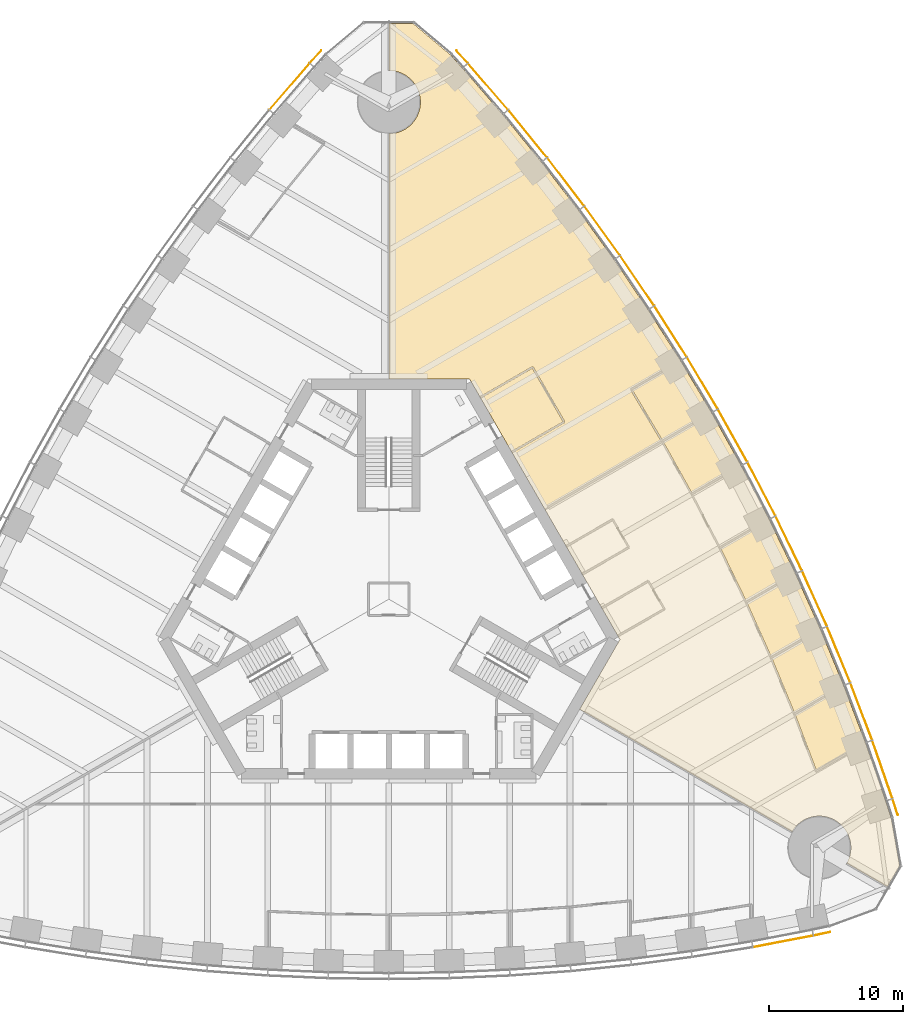
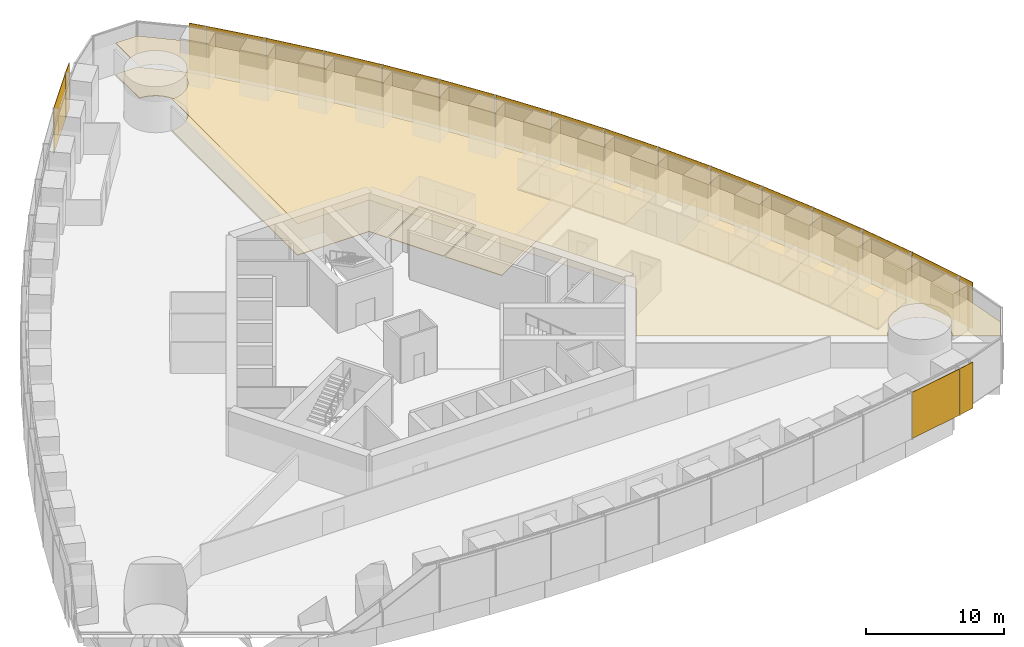
# One storey, part 17 of 19: 20 shading devices, 9 coverings.
"""IFC4 building model written with IfcOpenShell, lengths in metres."""

from ifc_helpers import new_model, si_unit, direction, frame, origin, origin_2d, place, context, subcontext, project, spatial, polyline, rectangle, outline, extrude, material, layer, layer_set, type_object, element, save


model = new_model("IFC4")

# Units and contexts
model_context = context("Model", 3, precision=1e-05, world=origin(), true_north=direction((0.0, 1.0)))
body_context = subcontext(model_context, "Body", "Model", "MODEL_VIEW")
ifc_project = project(units=[si_unit("LENGTHUNIT", "METRE"), si_unit("AREAUNIT", "SQUARE_METRE"), si_unit("VOLUMEUNIT", "CUBIC_METRE"), si_unit("PLANEANGLEUNIT", "RADIAN"), si_unit("MASSUNIT", "GRAM", prefix="KILO")], contexts=[model_context])

# Site, building, storey
site_placement = place(None, origin())
site = spatial("IfcSite", under=ifc_project, at=site_placement, CompositionType="ELEMENT")
building_placement = place(site_placement, origin())
building = spatial("IfcBuilding", under=site, at=building_placement, Name="Trefoil Bronze Tower", CompositionType="ELEMENT")
storey_placement = place(building_placement, frame((0.0, 0.0, 83.699951171875)))
storey = spatial("IfcBuildingStorey", under=building, at=storey_placement, Name="L19", CompositionType="ELEMENT", Elevation=83.699951171875)

# Shading devices
ifc_material_1 = material(Name="Perforated bronze sheet", Category="bronze")
ifc_layer_1 = layer(ifc_material_1, 0.0400390625)
ifc_layer_set_1 = layer_set([ifc_layer_1], Name="Bronze solar screen panel")
shading_device_type = type_object("IfcShadingDeviceType", Name="Bronze solar screen panel", PredefinedType="SHUTTER", material=ifc_layer_set_1)
shading_device_1_placement = place(storey_placement, frame((29.351806640625, -25.478515625, 0.050048828125), z_axis=(0.0, 0.0, 1.0), x_axis=(0.982049823817, 0.188621694249, 0.0)))
element("IfcShadingDevice", 1, at=shading_device_1_placement, inside=storey, type_object=shading_device_type, Name="Solar screen CW-A L19 F1 bay 15", PredefinedType="SHUTTER", context=body_context, shape_type="SweptSolid", body=[
    extrude(rectangle(XDim=4.55224609375, YDim=0.0400390625, at=origin_2d()), origin(), (0.0, 0.0, 1.0), 4.10009765625),
])
for number, where, z_axis, x_axis, name in (
    (2, (32.2431640625, -24.91064453125, 0.050048828125), (0.0, 0.0, 1.0), (0.978302717041, 0.207180582657, 0.0), "Solar screen CW-A L19 F1 bay 16"),
    (3, (37.69482421875, -15.468017578125, 0.050048828125), (0.0, 0.0, 1.0), (-0.309727710769, 0.950825296877, 0.0), "Solar screen CW-A L19 F2 bay 1"),
):
    element("IfcShadingDevice", number, at=place(storey_placement, frame(where, z_axis=z_axis, x_axis=x_axis)), inside=storey, type_object=shading_device_type, Name=name, PredefinedType="SHUTTER", context=body_context, shape_type="SweptSolid", body=[
        extrude(rectangle(XDim=1.260498046875, YDim=0.0400390625, at=origin_2d()), origin(), (0.0, 0.0, 1.0), 4.10009765625),
    ])
shading_device_2_placement = place(storey_placement, frame((36.740966796875, -12.68017578125, 0.050048828125), z_axis=(0.0, 0.0, 1.0), x_axis=(-0.327673732984, 0.944790942332, 0.0)))
element("IfcShadingDevice", 4, at=shading_device_2_placement, inside=storey, type_object=shading_device_type, Name="Solar screen CW-A L19 F2 bay 2", PredefinedType="SHUTTER", context=body_context, shape_type="SweptSolid", body=[
    extrude(rectangle(XDim=4.55224609375, YDim=0.0400390625, at=origin_2d()), origin(), (0.0, 0.0, 1.0), 4.10009765625),
])
shading_device_3_placement = place(storey_placement, frame((35.1748046875, -8.3701171875, 0.050048828125), z_axis=(0.0, 0.0, 1.0), x_axis=(-0.355370585687, 0.934725492767, 0.0)))
element("IfcShadingDevice", 5, at=shading_device_3_placement, inside=storey, type_object=shading_device_type, Name="Solar screen CW-A L19 F2 bay 3", PredefinedType="SHUTTER", context=body_context, shape_type="SweptSolid", body=[
    extrude(rectangle(XDim=4.5283203125, YDim=0.0400390625, at=origin_2d()), origin(), (0.0, 0.0, 1.0), 4.10009765625),
])
shading_device_4_placement = place(storey_placement, frame((33.49072265625, -4.128173828125, 0.050048828125), z_axis=(0.0, 0.0, 1.0), x_axis=(-0.382629580712, 0.923901836758, 0.0)))
element("IfcShadingDevice", 6, at=shading_device_4_placement, inside=storey, type_object=shading_device_type, Name="Solar screen CW-A L19 F2 bay 4", PredefinedType="SHUTTER", context=body_context, shape_type="SweptSolid", body=[
    extrude(rectangle(XDim=4.5087890625, YDim=0.0400390625, at=origin_2d()), origin(), (0.0, 0.0, 1.0), 4.10009765625),
])
shading_device_5_placement = place(storey_placement, frame((31.68994140625, 0.04638671875, 0.050048828125), z_axis=(0.0, 0.0, 1.0), x_axis=(-0.40945635808, 0.912329705111, 0.0)))
element("IfcShadingDevice", 7, at=shading_device_5_placement, inside=storey, type_object=shading_device_type, Name="Solar screen CW-A L19 F2 bay 5", PredefinedType="SHUTTER", context=body_context, shape_type="SweptSolid", body=[
    extrude(rectangle(XDim=4.493408203125, YDim=0.0400390625, at=origin_2d()), origin(), (0.0, 0.0, 1.0), 4.10009765625),
])
shading_device_6_placement = place(storey_placement, frame((29.77392578125, 4.154541015625, 0.050048828125), z_axis=(0.0, 0.0, 1.0), x_axis=(-0.4358553457, 0.900016731858, 0.0)))
element("IfcShadingDevice", 8, at=shading_device_6_placement, inside=storey, type_object=shading_device_type, Name="Solar screen CW-A L19 F2 bay 6", PredefinedType="SHUTTER", context=body_context, shape_type="SweptSolid", body=[
    extrude(rectangle(XDim=4.48193359375, YDim=0.0400390625, at=origin_2d()), origin(), (0.0, 0.0, 1.0), 4.10009765625),
])
shading_device_7_placement = place(storey_placement, frame((27.74365234375, 8.1962890625, 0.050048828125), z_axis=(0.0, 0.0, 1.0), x_axis=(-0.46182981834, 0.886968555752, 0.0)))
element("IfcShadingDevice", 9, at=shading_device_7_placement, inside=storey, type_object=shading_device_type, Name="Solar screen CW-A L19 F2 bay 7", PredefinedType="SHUTTER", context=body_context, shape_type="SweptSolid", body=[
    extrude(rectangle(XDim=4.474365234375, YDim=0.0400390625, at=origin_2d()), origin(), (0.0, 0.0, 1.0), 4.10009765625),
])
for number, where, z_axis, x_axis, name in (
    (10, (25.599365234375, 12.172607421875, 0.050048828125), (0.0, 0.0, 1.0), (-0.487381940453, 0.873188893722, 0.0), "Solar screen CW-A L19 F2 bay 8"),
    (11, (23.341552734375, 16.083251953125, 0.050048828125), (0.0, 0.0, 1.0), (-0.51251279404, 0.858679588639, 0.0), "Solar screen CW-A L19 F2 bay 9"),
):
    element("IfcShadingDevice", number, at=place(storey_placement, frame(where, z_axis=z_axis, x_axis=x_axis)), inside=storey, type_object=shading_device_type, Name=name, PredefinedType="SHUTTER", context=body_context, shape_type="SweptSolid", body=[
        extrude(rectangle(XDim=4.470458984375, YDim=0.0400390625, at=origin_2d()), origin(), (0.0, 0.0, 1.0), 4.10009765625),
    ])
shading_device_8_placement = place(storey_placement, frame((20.97021484375, 19.928466796875, 0.050048828125), z_axis=(0.0, 0.0, 1.0), x_axis=(-0.537222392469, 0.843440632783, 0.0)))
element("IfcShadingDevice", 12, at=shading_device_8_placement, inside=storey, type_object=shading_device_type, Name="Solar screen CW-A L19 F2 bay 10", PredefinedType="SHUTTER", context=body_context, shape_type="SweptSolid", body=[
    extrude(rectangle(XDim=4.474365234375, YDim=0.0400390625, at=origin_2d()), origin(), (0.0, 0.0, 1.0), 4.10009765625),
])
shading_device_9_placement = place(storey_placement, frame((18.48486328125, 23.707763671875, 0.050048828125), z_axis=(0.0, 0.0, 1.0), x_axis=(-0.56150968077, 0.827470167681, 0.0)))
element("IfcShadingDevice", 13, at=shading_device_9_placement, inside=storey, type_object=shading_device_type, Name="Solar screen CW-A L19 F2 bay 11", PredefinedType="SHUTTER", context=body_context, shape_type="SweptSolid", body=[
    extrude(rectangle(XDim=4.48193359375, YDim=0.0400390625, at=origin_2d()), origin(), (0.0, 0.0, 1.0), 4.10009765625),
])
shading_device_10_placement = place(storey_placement, frame((15.88525390625, 27.421142578125, 0.050048828125), z_axis=(0.0, 0.0, 1.0), x_axis=(-0.585372522213, 0.810764460394, 0.0)))
element("IfcShadingDevice", 14, at=shading_device_10_placement, inside=storey, type_object=shading_device_type, Name="Solar screen CW-A L19 F2 bay 12", PredefinedType="SHUTTER", context=body_context, shape_type="SweptSolid", body=[
    extrude(rectangle(XDim=4.493408203125, YDim=0.0400390625, at=origin_2d()), origin(), (0.0, 0.0, 1.0), 4.10009765625),
])
shading_device_11_placement = place(storey_placement, frame((13.170166015625, 31.06787109375, 0.050048828125), z_axis=(0.0, 0.0, 1.0), x_axis=(-0.608807670879, 0.793317855515, 0.0)))
element("IfcShadingDevice", 15, at=shading_device_11_placement, inside=storey, type_object=shading_device_type, Name="Solar screen CW-A L19 F2 bay 13", PredefinedType="SHUTTER", context=body_context, shape_type="SweptSolid", body=[
    extrude(rectangle(XDim=4.5087890625, YDim=0.0400390625, at=origin_2d()), origin(), (0.0, 0.0, 1.0), 4.10009765625),
])
shading_device_12_placement = place(storey_placement, frame((10.338623046875, 34.6474609375, 0.050048828125), z_axis=(0.0, 0.0, 1.0), x_axis=(-0.631810729457, 0.775122701346, 0.0)))
element("IfcShadingDevice", 16, at=shading_device_12_placement, inside=storey, type_object=shading_device_type, Name="Solar screen CW-A L19 F2 bay 14", PredefinedType="SHUTTER", context=body_context, shape_type="SweptSolid", body=[
    extrude(rectangle(XDim=4.5283203125, YDim=0.0400390625, at=origin_2d()), origin(), (0.0, 0.0, 1.0), 4.10009765625),
])
shading_device_13_placement = place(storey_placement, frame((7.38916015625, 38.15869140625, 0.050048828125), z_axis=(0.0, 0.0, 1.0), x_axis=(-0.654376090833, 0.756169248083, 0.0)))
element("IfcShadingDevice", 17, at=shading_device_13_placement, inside=storey, type_object=shading_device_type, Name="Solar screen CW-A L19 F2 bay 15", PredefinedType="SHUTTER", context=body_context, shape_type="SweptSolid", body=[
    extrude(rectangle(XDim=4.55224609375, YDim=0.0400390625, at=origin_2d()), origin(), (0.0, 0.0, 1.0), 4.10009765625),
])
for number, where, z_axis, x_axis, name in (
    (18, (5.45166015625, 40.378662109375, 0.050048828125), (0.0, 0.0, 1.0), (-0.668575006272, 0.743644714221, 0.0), "Solar screen CW-A L19 F2 bay 16"),
    (19, (-5.45166015625, 40.378662109375, 0.050048828125), (0.0, 0.0, 1.0), (-0.668575006272, -0.743644714221, 0.0), "Solar screen CW-A L19 F3 bay 1"),
):
    element("IfcShadingDevice", number, at=place(storey_placement, frame(where, z_axis=z_axis, x_axis=x_axis)), inside=storey, type_object=shading_device_type, Name=name, PredefinedType="SHUTTER", context=body_context, shape_type="SweptSolid", body=[
        extrude(rectangle(XDim=1.260498046875, YDim=0.0400390625, at=origin_2d()), origin(), (0.0, 0.0, 1.0), 4.10009765625),
    ])
shading_device_14_placement = place(storey_placement, frame((-7.38916015625, 38.15869140625, 0.050048828125), z_axis=(0.0, 0.0, 1.0), x_axis=(-0.654376090833, -0.756169248083, 0.0)))
element("IfcShadingDevice", 20, at=shading_device_14_placement, inside=storey, type_object=shading_device_type, Name="Solar screen CW-A L19 F3 bay 2", PredefinedType="SHUTTER", context=body_context, shape_type="SweptSolid", body=[
    extrude(rectangle(XDim=4.55224609375, YDim=0.0400390625, at=origin_2d()), origin(), (0.0, 0.0, 1.0), 4.10009765625),
])

# Coverings
ifc_material_2 = material(Name="Acoustic ceiling panels", Category="mineral fibre")
ifc_layer_2 = layer(ifc_material_2, 0.02001953125)
ifc_layer_set_2 = layer_set([ifc_layer_2], Name="Office ceiling 20")
covering_type_1 = type_object("IfcCoveringType", Name="Office ceiling 20", PredefinedType="CEILING", material=ifc_layer_set_2)
covering_1_placement = place(storey_placement, frame((0.0, 0.0, 2.900146484375)))
element("IfcCovering", 21, at=covering_1_placement, inside=storey, type_object=covering_type_1, Name="Ceiling L19 Open-plan office F2", PredefinedType="CEILING", context=body_context, shape_type="SweptSolid", body=[
    extrude(outline(polyline([(5.4814453125, 39.537841796875), (8.47998046875, 36.072998046875), (11.360107421875, 32.53955078125), (14.123291015625, 28.938720703125), (16.771240234375, 25.271484375), (19.3046875, 21.537841796875), (21.724609375, 17.73876953125), (24.031005859375, 13.87451171875), (26.224609375, 9.944580078125), (28.3046875, 5.949462890625), (30.271240234375, 1.888671875), (32.123291015625, -2.23828125), (33.860107421875, -6.431640625), (35.47998046875, -10.6923828125), (36.9814453125, -15.021728515625), (37.381103515625, -16.248779296875), (38.0146484375, -19.841552734375), (37.110595703125, -21.4072265625), (34.084716796875, -19.661865234375), (34.115478515625, -19.60791015625), (34.167236328125, -19.5048828125), (34.214111328125, -19.3994140625), (34.255615234375, -19.291748046875), (34.291748046875, -19.18212890625), (34.322509765625, -19.071044921875), (34.347900390625, -18.95849609375), (34.367431640625, -18.8447265625), (34.381591796875, -18.730224609375), (34.39013671875, -18.615234375), (34.392822265625, -18.5), (34.39013671875, -18.384765625), (34.381591796875, -18.269775390625), (34.367431640625, -18.1552734375), (34.347900390625, -18.04150390625), (34.322509765625, -17.928955078125), (34.291748046875, -17.81787109375), (34.255615234375, -17.708251953125), (34.214111328125, -17.6005859375), (34.167236328125, -17.4951171875), (34.115478515625, -17.39208984375), (34.05859375, -17.2919921875), (33.996826171875, -17.1943359375), (33.930419921875, -17.10009765625), (33.859619140625, -17.00927734375), (33.7841796875, -16.921875), (33.70458984375, -16.83837890625), (33.62109375, -16.7587890625), (33.53369140625, -16.683349609375), (33.44287109375, -16.612548828125), (33.348388671875, -16.5458984375), (33.251220703125, -16.484375), (33.150634765625, -16.427490234375), (33.047607421875, -16.37548828125), (32.942138671875, -16.328857421875), (32.834716796875, -16.287353515625), (32.72509765625, -16.251220703125), (32.614013671875, -16.220458984375), (32.50146484375, -16.1953125), (32.3876953125, -16.17529296875), (32.273193359375, -16.161376953125), (32.158203125, -16.15283203125), (32.04296875, -16.14990234375), (31.927490234375, -16.15283203125), (31.8125, -16.161376953125), (31.697998046875, -16.17529296875), (31.58447265625, -16.1953125), (31.471923828125, -16.220458984375), (31.36083984375, -16.251220703125), (31.251220703125, -16.287353515625), (31.1435546875, -16.328857421875), (31.0380859375, -16.37548828125), (30.935302734375, -16.427490234375), (30.834716796875, -16.484375), (30.7373046875, -16.5458984375), (30.64306640625, -16.612548828125), (30.552001953125, -16.683349609375), (30.46484375, -16.7587890625), (30.381103515625, -16.83837890625), (30.3017578125, -16.921875), (30.226318359375, -17.00927734375), (30.155517578125, -17.10009765625), (30.089111328125, -17.1943359375), (30.02734375, -17.2919921875), (30.0146484375, -17.31396484375), (14.205810546875, -8.194580078125), (17.205078125, -3.0), (6.00439453125, 16.39990234375), (0.006103515625, 16.39990234375), (0.012939453125, 34.650390625), (0.115234375, 34.65283203125), (0.230224609375, 34.661376953125), (0.3447265625, 34.67529296875), (0.45849609375, 34.6953125), (0.571044921875, 34.720458984375), (0.68212890625, 34.751220703125), (0.791748046875, 34.787353515625), (0.8994140625, 34.828857421875), (1.0048828125, 34.87548828125), (1.10791015625, 34.927490234375), (1.2080078125, 34.984375), (1.3056640625, 35.0458984375), (1.39990234375, 35.112548828125), (1.49072265625, 35.183349609375), (1.578125, 35.2587890625), (1.66162109375, 35.33837890625), (1.7412109375, 35.421875), (1.816650390625, 35.50927734375), (1.887451171875, 35.60009765625), (1.9541015625, 35.6943359375), (2.015625, 35.7919921875), (2.072509765625, 35.89208984375), (2.12451171875, 35.9951171875), (2.171142578125, 36.1005859375), (2.212646484375, 36.208251953125), (2.248779296875, 36.31787109375), (2.279541015625, 36.428955078125), (2.3046875, 36.54150390625), (2.32470703125, 36.6552734375), (2.338623046875, 36.769775390625), (2.34716796875, 36.884765625), (2.35009765625, 37.0), (2.34716796875, 37.115234375), (2.338623046875, 37.230224609375), (2.32470703125, 37.3447265625), (2.3046875, 37.45849609375), (2.279541015625, 37.571044921875), (2.248779296875, 37.68212890625), (2.212646484375, 37.791748046875), (2.171142578125, 37.8994140625), (2.12451171875, 38.0048828125), (2.072509765625, 38.10791015625), (2.015625, 38.2080078125), (1.9541015625, 38.3056640625), (1.887451171875, 38.39990234375), (1.816650390625, 38.49072265625), (1.7412109375, 38.578125), (1.66162109375, 38.66162109375), (1.578125, 38.7412109375), (1.49072265625, 38.816650390625), (1.39990234375, 38.887451171875), (1.3056640625, 38.9541015625), (1.2080078125, 39.015625), (1.10791015625, 39.072509765625), (1.0048828125, 39.12451171875), (0.8994140625, 39.171142578125), (0.791748046875, 39.212646484375), (0.68212890625, 39.248779296875), (0.571044921875, 39.279541015625), (0.45849609375, 39.3046875), (0.3447265625, 39.32470703125), (0.230224609375, 39.338623046875), (0.115234375, 39.34716796875), (0.014892578125, 39.349609375), (0.01611328125, 42.84228515625), (1.82421875, 42.84228515625), (4.618896484375, 40.497314453125), (5.4814453125, 39.537841796875)])), origin(), (0.0, 0.0, 1.0), 0.02001953125),
])
ifc_material_3 = material(Name="Raised access floor panels", Category="steel")
ifc_layer_3 = layer(ifc_material_3, 0.050048828125)
ifc_layer_set_3 = layer_set([ifc_layer_3], Name="Raised access floor 150")
covering_type_2 = type_object("IfcCoveringType", Name="Raised access floor 150", PredefinedType="FLOORING", material=ifc_layer_set_3)
covering_2_placement = place(storey_placement, frame((0.0, 0.0, 0.10009765625)))
element("IfcCovering", 22, at=covering_2_placement, inside=storey, type_object=covering_type_2, Name="Raised floor L19 Reception F2", PredefinedType="FLOORING", context=body_context, shape_type="SweptSolid", body=[
    extrude(outline(polyline([(6.834716796875, 14.9619140625), (10.679931640625, 17.181884765625), (12.969970703125, 13.215576171875), (9.124755859375, 10.99560546875), (6.834716796875, 14.9619140625)])), origin(), (0.0, 0.0, 1.0), 0.050048828125),
])
covering_3_placement = place(storey_placement, frame((0.0, 0.0, 0.10009765625)))
element("IfcCovering", 23, at=covering_3_placement, inside=storey, type_object=covering_type_2, Name="Raised floor L19 Office F2", PredefinedType="FLOORING", context=body_context, shape_type="SweptSolid", body=[
    extrude(outline(polyline([(21.724609375, 17.73876953125), (24.031005859375, 13.87451171875), (22.619384765625, 13.059326171875), (22.58203125, 13.124267578125), (20.364013671875, 11.84375), (18.126708984375, 15.59228515625), (20.34228515625, 16.87158203125), (20.312255859375, 16.923583984375), (21.724609375, 17.73876953125)])), origin(), (0.0, 0.0, 1.0), 0.050048828125),
])
covering_4_placement = place(storey_placement, frame((0.0, 0.0, 0.10009765625)))
element("IfcCovering", 24, at=covering_4_placement, inside=storey, type_object=covering_type_2, Name="Raised floor L19 Office F2", PredefinedType="FLOORING", context=body_context, shape_type="SweptSolid", body=[
    extrude(outline(polyline([(24.031005859375, 13.87451171875), (26.224609375, 9.944580078125), (24.812255859375, 9.12939453125), (24.7822265625, 9.18115234375), (22.566650390625, 7.902099609375), (20.43896484375, 11.7138671875), (22.656982421875, 12.994384765625), (22.619384765625, 13.059326171875), (24.031005859375, 13.87451171875)])), origin(), (0.0, 0.0, 1.0), 0.050048828125),
])
covering_5_placement = place(storey_placement, frame((0.0, 0.0, 0.10009765625)))
element("IfcCovering", 25, at=covering_5_placement, inside=storey, type_object=covering_type_2, Name="Raised floor L19 Office F2", PredefinedType="FLOORING", context=body_context, shape_type="SweptSolid", body=[
    extrude(outline(polyline([(28.3046875, 5.949462890625), (30.271240234375, 1.888671875), (28.854248046875, 1.070556640625), (28.82421875, 1.12255859375), (26.616455078125, -0.152099609375), (24.702392578125, 3.80029296875), (26.9208984375, 5.0810546875), (26.890869140625, 5.133056640625), (28.3046875, 5.949462890625)])), origin(), (0.0, 0.0, 1.0), 0.050048828125),
])
covering_6_placement = place(storey_placement, frame((0.0, 0.0, 0.10009765625)))
element("IfcCovering", 26, at=covering_6_placement, inside=storey, type_object=covering_type_2, Name="Raised floor L19 Office F2", PredefinedType="FLOORING", context=body_context, shape_type="SweptSolid", body=[
    extrude(outline(polyline([(32.123291015625, -2.23828125), (30.7021484375, -3.05859375), (30.672119140625, -3.006591796875), (28.47021484375, -4.278076171875), (26.66748046875, -0.26123046875), (28.88427734375, 1.0185546875), (28.854248046875, 1.070556640625), (30.271240234375, 1.888671875), (32.123291015625, -2.23828125)])), origin(), (0.0, 0.0, 1.0), 0.050048828125),
])
covering_7_placement = place(storey_placement, frame((0.0, 0.0, 0.10009765625)))
element("IfcCovering", 27, at=covering_7_placement, inside=storey, type_object=covering_type_2, Name="Raised floor L19 Office F2", PredefinedType="FLOORING", context=body_context, shape_type="SweptSolid", body=[
    extrude(outline(polyline([(32.123291015625, -2.23828125), (33.860107421875, -6.431640625), (32.43359375, -7.25537109375), (32.403564453125, -7.203369140625), (30.208740234375, -8.470458984375), (28.518310546875, -4.388916015625), (30.732177734375, -3.110595703125), (30.7021484375, -3.05859375), (32.123291015625, -2.23828125)])), origin(), (0.0, 0.0, 1.0), 0.050048828125),
])
covering_8_placement = place(storey_placement, frame((0.0, 0.0, 0.10009765625)))
element("IfcCovering", 28, at=covering_8_placement, inside=storey, type_object=covering_type_2, Name="Raised floor L19 Meeting room F2", PredefinedType="FLOORING", context=body_context, shape_type="SweptSolid", body=[
    extrude(outline(polyline([(33.860107421875, -6.431640625), (35.47998046875, -10.6923828125), (34.046630859375, -11.52001953125), (34.0166015625, -11.468017578125), (31.83056640625, -12.730224609375), (30.253662109375, -8.5830078125), (32.46337890625, -7.30712890625), (32.43359375, -7.25537109375), (33.860107421875, -6.431640625)])), origin(), (0.0, 0.0, 1.0), 0.050048828125),
])
covering_9_placement = place(storey_placement, frame((0.0, 0.0, 0.10009765625)))
element("IfcCovering", 29, at=covering_9_placement, inside=storey, type_object=covering_type_2, Name="Raised floor L19 Open-plan office F2", PredefinedType="FLOORING", context=body_context, shape_type="SweptSolid", body=[
    extrude(outline(polyline([(14.123291015625, 28.938720703125), (16.771240234375, 25.271484375), (19.3046875, 21.537841796875), (21.724609375, 17.73876953125), (20.312255859375, 16.923583984375), (20.2822265625, 16.975341796875), (18.013916015625, 15.665771484375), (18.0439453125, 15.61376953125), (17.992431640625, 15.5830078125), (20.260009765625, 11.78369140625), (11.575927734375, 6.77001953125), (11.61279296875, 6.705810546875), (11.604248046875, 6.700927734375), (9.184814453125, 10.8916015625), (13.081787109375, 13.1416015625), (13.052001953125, 13.193603515625), (13.103759765625, 13.223388671875), (10.75390625, 17.293701171875), (10.701904296875, 17.263916015625), (10.671875, 17.31591796875), (6.774658203125, 15.06591796875), (6.00439453125, 16.39990234375), (0.006103515625, 16.39990234375), (0.012939453125, 34.650390625), (0.115234375, 34.65283203125), (0.230224609375, 34.661376953125), (0.3447265625, 34.67529296875), (0.45849609375, 34.6953125), (0.571044921875, 34.720458984375), (0.68212890625, 34.751220703125), (0.791748046875, 34.787353515625), (0.8994140625, 34.828857421875), (1.0048828125, 34.87548828125), (1.10791015625, 34.927490234375), (1.2080078125, 34.984375), (1.3056640625, 35.0458984375), (1.39990234375, 35.112548828125), (1.49072265625, 35.183349609375), (1.578125, 35.2587890625), (1.66162109375, 35.33837890625), (1.7412109375, 35.421875), (1.816650390625, 35.50927734375), (1.887451171875, 35.60009765625), (1.9541015625, 35.6943359375), (2.015625, 35.7919921875), (2.072509765625, 35.89208984375), (2.12451171875, 35.9951171875), (2.171142578125, 36.1005859375), (2.212646484375, 36.208251953125), (2.248779296875, 36.31787109375), (2.279541015625, 36.428955078125), (2.3046875, 36.54150390625), (2.32470703125, 36.6552734375), (2.338623046875, 36.769775390625), (2.34716796875, 36.884765625), (2.35009765625, 37.0), (2.34716796875, 37.115234375), (2.338623046875, 37.230224609375), (2.32470703125, 37.3447265625), (2.3046875, 37.45849609375), (2.279541015625, 37.571044921875), (2.248779296875, 37.68212890625), (2.212646484375, 37.791748046875), (2.171142578125, 37.8994140625), (2.12451171875, 38.0048828125), (2.072509765625, 38.10791015625), (2.015625, 38.2080078125), (1.9541015625, 38.3056640625), (1.887451171875, 38.39990234375), (1.816650390625, 38.49072265625), (1.7412109375, 38.578125), (1.66162109375, 38.66162109375), (1.578125, 38.7412109375), (1.49072265625, 38.816650390625), (1.39990234375, 38.887451171875), (1.3056640625, 38.9541015625), (1.2080078125, 39.015625), (1.10791015625, 39.072509765625), (1.0048828125, 39.12451171875), (0.8994140625, 39.171142578125), (0.791748046875, 39.212646484375), (0.68212890625, 39.248779296875), (0.571044921875, 39.279541015625), (0.45849609375, 39.3046875), (0.3447265625, 39.32470703125), (0.230224609375, 39.338623046875), (0.115234375, 39.34716796875), (0.014892578125, 39.349609375), (0.01611328125, 42.84228515625), (1.82421875, 42.84228515625), (4.618896484375, 40.497314453125), (5.4814453125, 39.537841796875), (8.47998046875, 36.072998046875), (11.360107421875, 32.53955078125), (14.123291015625, 28.938720703125)])), origin(), (0.0, 0.0, 1.0), 0.050048828125),
])

save(model, "model.ifc")
